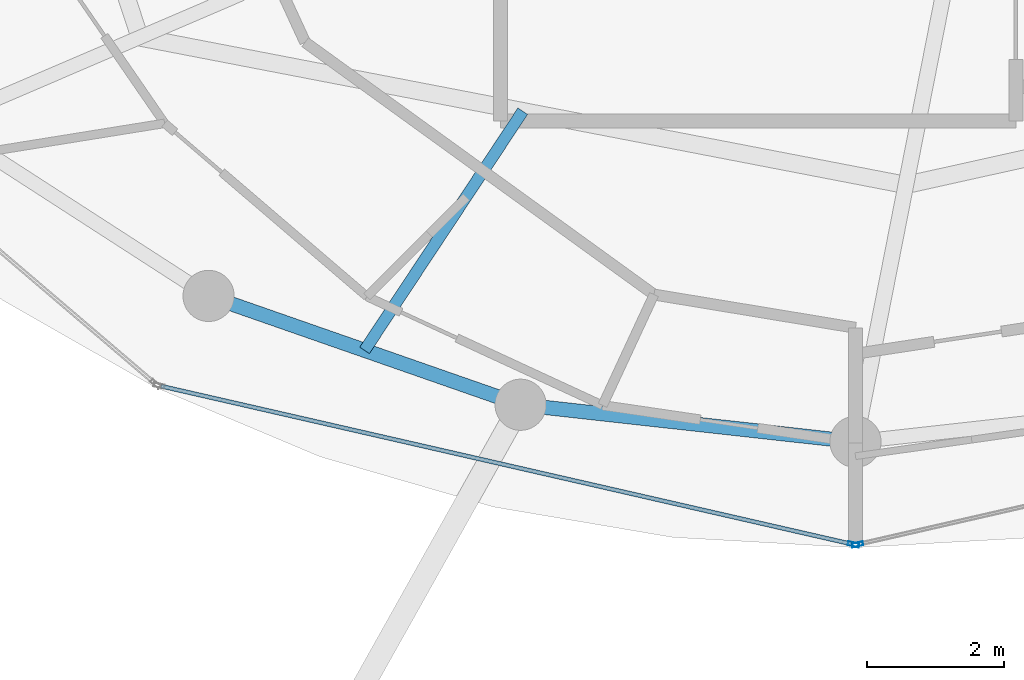
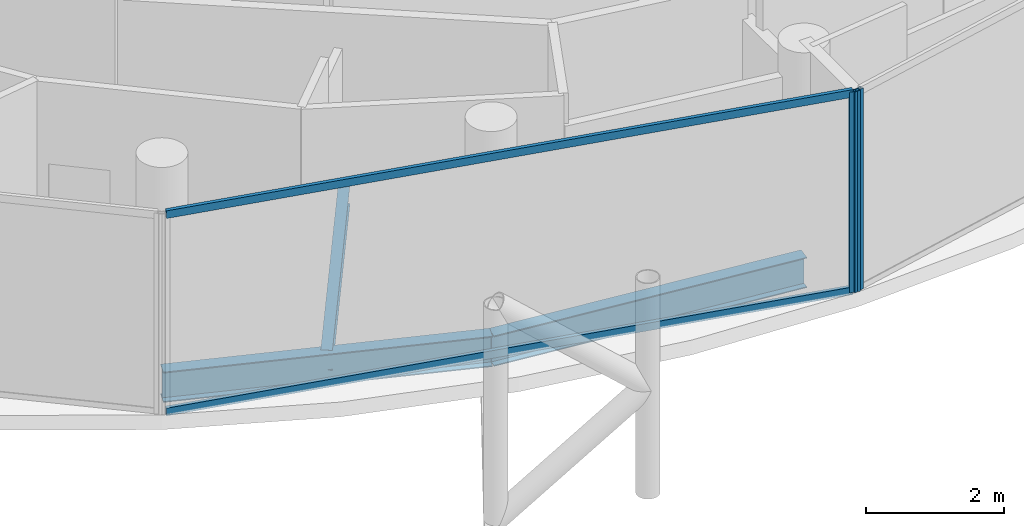
# One storey, part 4 of 24: 4 members, 3 beams, 2 elements without a shape of their own.
"""IFC4 building model written with IfcOpenShell, lengths in metres."""

from ifc_helpers import new_model, si_unit, direction, frame, origin, origin_2d, place, context, subcontext, project, spatial, hollow_rectangle, i_section, extrude, material, layer, layer_set, material_profile, profile_set, type_object, element, aggregate, save


model = new_model("IFC4")

# Units and contexts
model_context = context("Model", 3, precision=1e-05, world=origin(), true_north=direction((0.0, 1.0)))
body_context = subcontext(model_context, "Body", "Model", "MODEL_VIEW")
ifc_project = project(units=[si_unit("LENGTHUNIT", "METRE"), si_unit("AREAUNIT", "SQUARE_METRE"), si_unit("VOLUMEUNIT", "CUBIC_METRE"), si_unit("PLANEANGLEUNIT", "RADIAN"), si_unit("MASSUNIT", "GRAM", prefix="KILO")], contexts=[model_context])

# Site, building, storey
site_placement = place(None, origin())
site = spatial("IfcSite", under=ifc_project, at=site_placement, CompositionType="ELEMENT")
building_placement = place(site_placement, origin())
building = spatial("IfcBuilding", under=site, at=building_placement, Name="Nuhasar Tower", CompositionType="ELEMENT")
storey_placement = place(building_placement, frame((0.0, 0.0, 267.0)))
storey = spatial("IfcBuildingStorey", under=building, at=storey_placement, Name="L66", CompositionType="ELEMENT", Elevation=267.0)

# Beams
ifc_material_1 = material(Name="Steel S355", Category="steel")
ifc_material_profile_1 = material_profile(ifc_material_1, i_section(OverallWidth=0.1708984375, OverallDepth=0.35205078125, WebThickness=0.0068359375, FlangeThickness=0.009765625, at=origin_2d()), Name="W14X30")
ifc_profile_set_1 = profile_set([ifc_material_profile_1], Name="Steel S355")
beam_type_1 = type_object("IfcBeamType", Name="BM-JST-W14X30", PredefinedType="JOIST", material=ifc_profile_set_1)
beam_1_placement = place(storey_placement, frame((34.126953125, 15.693115234375, -0.43603515625), z_axis=(-0.551638003526, -0.834083636733, 0.0), x_axis=(0.834083636733, -0.551638003526, 0.0)))
element("IfcBeam", 1, at=beam_1_placement, inside=storey, type_object=beam_type_1, Name="L66 Secondary Floor Joist 01", PredefinedType="JOIST", context=body_context, shape_type="SweptSolid", body=[
    extrude(i_section(OverallWidth=0.1708984375, OverallDepth=0.35205078125, WebThickness=0.0068359375, FlangeThickness=0.009765625, at=origin_2d()), origin(), (0.0, 0.0, 1.0), 4.199951171875),
])
ifc_material_profile_2 = material_profile(ifc_material_1, i_section(OverallWidth=0.2099609375, OverallDepth=0.537109375, WebThickness=0.010986328125, FlangeThickness=0.017333984375, at=origin_2d()), Name="W21X68")
ifc_profile_set_2 = profile_set([ifc_material_profile_2], Name="Steel S355")
beam_type_2 = type_object("IfcBeamType", Name="BM-RING-W21X68", PredefinedType="SPANDREL", material=ifc_profile_set_2)
beam_2_placement = place(storey_placement, frame((29.52490234375, 12.987060546875, -0.529052734375), z_axis=(0.944214043504, -0.329332415729, 0.0), x_axis=(0.329332415729, 0.944214043504, 0.0)))
element("IfcBeam", 2, at=beam_2_placement, inside=storey, type_object=beam_type_2, Name="L66 Perimeter Ring Spandrel 17", PredefinedType="SPANDREL", context=body_context, shape_type="SweptSolid", body=[
    extrude(i_section(OverallWidth=0.2099609375, OverallDepth=0.537109375, WebThickness=0.010986328125, FlangeThickness=0.017333984375, at=origin_2d()), origin(), (0.0, 0.0, 1.0), 4.840087890625),
])
beam_3_placement = place(storey_placement, frame((34.094970703125, 11.39306640625, -0.529052734375), z_axis=(0.99392889943, -0.110024283128, 0.0), x_axis=(0.110024283128, 0.99392889943, 0.0)))
element("IfcBeam", 3, at=beam_3_placement, inside=storey, type_object=beam_type_2, Name="L66 Perimeter Ring Spandrel 18", PredefinedType="SPANDREL", context=body_context, shape_type="SweptSolid", body=[
    extrude(i_section(OverallWidth=0.2099609375, OverallDepth=0.537109375, WebThickness=0.010986328125, FlangeThickness=0.017333984375, at=origin_2d()), origin(), (0.0, 0.0, 1.0), 4.93505859375),
])

# Curtain wall, member
ifc_material_2 = material(Name="Aluminium 6063-T6", Category="aluminium")
ifc_layer = layer(ifc_material_2, 0.18994140625)
ifc_layer_set = layer_set([ifc_layer], Name="Aluminium 6063-T6")
curtain_wall_type = type_object("IfcCurtainWallType", Name="CW-Z4-PEN", PredefinedType="NOTDEFINED", material=ifc_layer_set)
curtain_wall_1_placement = place(storey_placement, origin())
curtain_wall_1 = element("IfcCurtainWall", 4, at=curtain_wall_1_placement, inside=storey, type_object=curtain_wall_type, Name="L66 Unitised Curtain Wall 09", PredefinedType="NOTDEFINED")
ifc_material_profile_3 = material_profile(ifc_material_2, hollow_rectangle(XDim=0.06005859375, YDim=0.1650390625, WallThickness=0.0048828125, at=origin_2d()), Name="CWM-5")
ifc_profile_set_3 = profile_set([ifc_material_profile_3], Name="Aluminium 6063-T6")
member_type_1 = type_object("IfcMemberType", Name="CW-MUL-S5", PredefinedType="MULLION", material=ifc_profile_set_3)
member_1_placement = place(storey_placement, frame((38.970703125, 9.3466796875, 0.0), z_axis=(0.0, 0.0, 1.0), x_axis=(0.222889487645, 0.97484371891, 0.0)))
member_1 = element("IfcMember", 5, at=member_1_placement, type_object=member_type_1, Name="CW-Z4 mullion 2", PredefinedType="MULLION", context=body_context, shape_type="SweptSolid", body=[
    extrude(hollow_rectangle(XDim=0.06005859375, YDim=0.1650390625, WallThickness=0.0048828125, at=origin_2d()), origin(), (0.0, 0.0, 1.0), 3.5400390625),
])

curtain_wall_2_placement = place(storey_placement, origin())
curtain_wall_2 = element("IfcCurtainWall", 6, at=curtain_wall_2_placement, inside=storey, type_object=curtain_wall_type, Name="L66 Unitised Curtain Wall 10", PredefinedType="NOTDEFINED")
member_2_placement = place(storey_placement, frame((39.029296875, 9.3466796875, 0.0), z_axis=(0.0, 0.0, 1.0), x_axis=(-0.222889487645, 0.97484371891, 0.0)))
member_2 = element("IfcMember", 7, at=member_2_placement, type_object=member_type_1, Name="CW-Z4 mullion 1", PredefinedType="MULLION", context=body_context, shape_type="SweptSolid", body=[
    extrude(hollow_rectangle(XDim=0.06005859375, YDim=0.1650390625, WallThickness=0.0048828125, at=origin_2d()), origin(), (0.0, 0.0, 1.0), 3.5400390625),
])
aggregate(curtain_wall_2, [member_2])

# Member
ifc_material_profile_4 = material_profile(ifc_material_2, hollow_rectangle(XDim=0.06005859375, YDim=0.135009765625, WallThickness=0.00439453125, at=origin_2d()), Name="CWT-5")
ifc_profile_set_4 = profile_set([ifc_material_profile_4], Name="Aluminium 6063-T6")
member_type_2 = type_object("IfcMemberType", Name="CW-TRN-S5", PredefinedType="USERDEFINED", material=ifc_profile_set_4)
member_3_placement = place(storey_placement, frame((28.828369140625, 11.66552734375, 0.030029296875), z_axis=(0.974843752401, -0.222889341163, 0.0), x_axis=(0.222889341163, 0.974843752401, 0.0)))
member_3 = element("IfcMember", 8, at=member_3_placement, type_object=member_type_2, Name="CW-Z4 transom 1.1", ObjectType="TRANSOM", PredefinedType="USERDEFINED", context=body_context, shape_type="SweptSolid", body=[
    extrude(hollow_rectangle(XDim=0.06005859375, YDim=0.135009765625, WallThickness=0.00439453125, at=origin_2d()), origin(), (0.0, 0.0, 1.0), 10.3740234375),
])

member_4_placement = place(storey_placement, frame((28.828369140625, 11.66552734375, 3.510009765625), z_axis=(0.974843752401, -0.222889341163, 0.0), x_axis=(0.222889341163, 0.974843752401, 0.0)))
member_4 = element("IfcMember", 9, at=member_4_placement, type_object=member_type_2, Name="CW-Z4 transom 1.2", ObjectType="TRANSOM", PredefinedType="USERDEFINED", context=body_context, shape_type="SweptSolid", body=[
    extrude(hollow_rectangle(XDim=0.06005859375, YDim=0.135009765625, WallThickness=0.00439453125, at=origin_2d()), origin(), (0.0, 0.0, 1.0), 10.3740234375),
])

aggregate(curtain_wall_1, [member_1, member_3, member_4])

save(model, "model.ifc")
